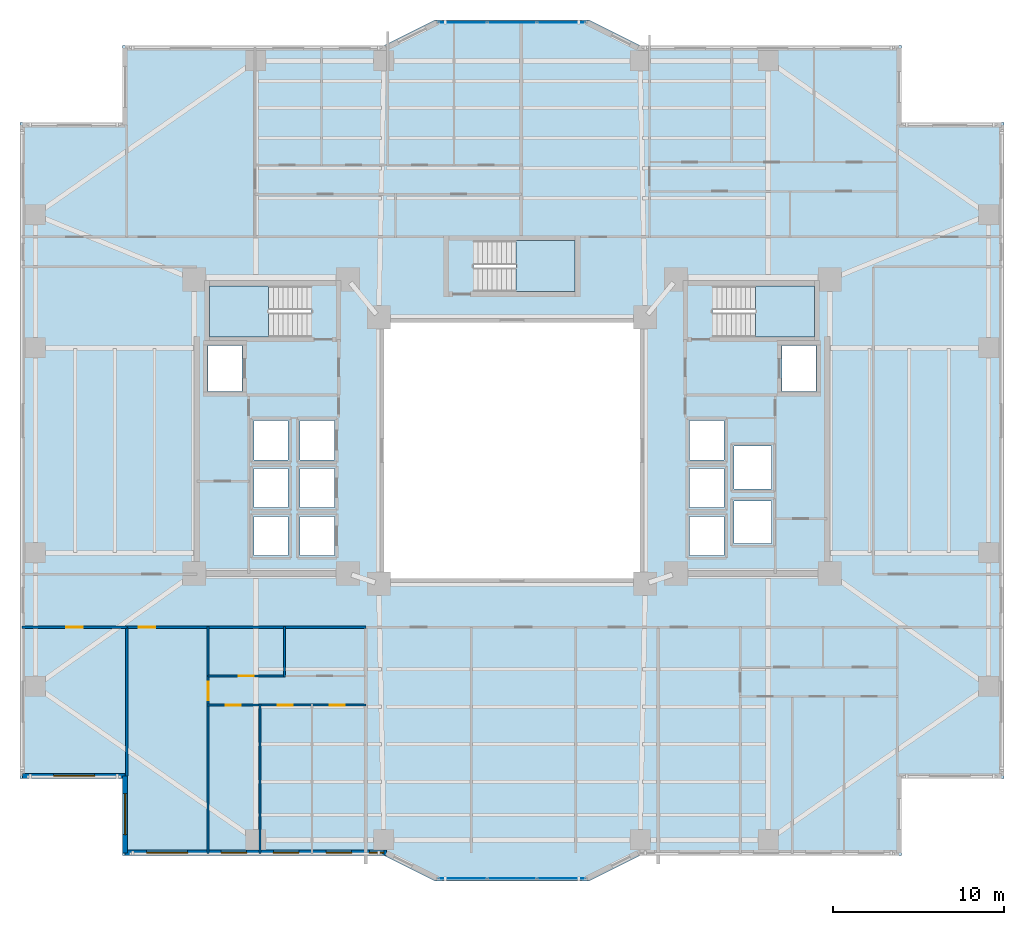
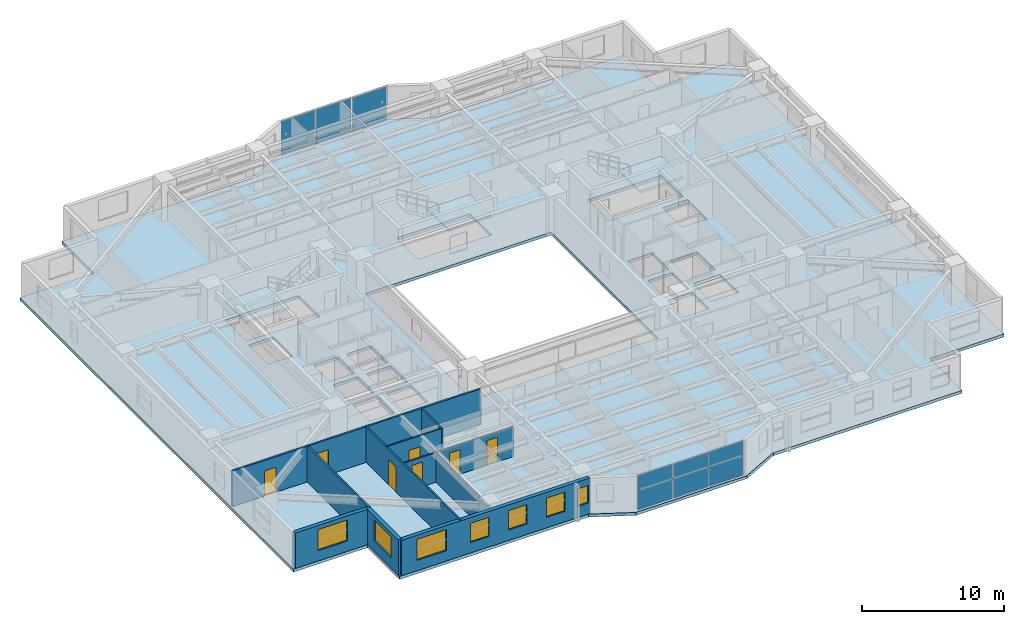
# One storey, part 9 of 20: 11 walls, 7 doors, 7 windows, 6 plates, 4 slabs, 14 openings, 5 elements without a shape of their own.
"""IFC4 building model written with IfcOpenShell, lengths in metres."""

from ifc_helpers import new_model, si_unit, direction, frame, frame_2d, origin, origin_2d, place, context, subcontext, project, spatial, polyline, rectangle, outline, extrude, material, layer, layer_set, type_object, element, fill, aggregate, save


model = new_model("IFC4")

# Units and contexts
model_context = context("Model", 3, precision=1e-05, world=origin(), true_north=direction((0.0, 1.0)))
body_context = subcontext(model_context, "Body", "Model", "MODEL_VIEW")
ifc_project = project(units=[si_unit("LENGTHUNIT", "METRE"), si_unit("AREAUNIT", "SQUARE_METRE"), si_unit("VOLUMEUNIT", "CUBIC_METRE"), si_unit("PLANEANGLEUNIT", "RADIAN"), si_unit("MASSUNIT", "GRAM", prefix="KILO")], contexts=[model_context])

# Site, building, storey
site_placement = place(None, origin())
site = spatial("IfcSite", under=ifc_project, at=site_placement, CompositionType="ELEMENT")
building_placement = place(site_placement, origin())
building = spatial("IfcBuilding", under=site, at=building_placement, Name="Tarnavaz Court Tower", CompositionType="ELEMENT")
storey_placement = place(building_placement, frame((0.0, 0.0, 60.85009765625)))
storey = spatial("IfcBuildingStorey", under=building, at=storey_placement, Name="L16", CompositionType="ELEMENT", Elevation=60.85009765625)

# Curtain wall, plates
ifc_material_1 = material(Name="Anodised Aluminium 6063-T6 and Solar Low-E Glazing", Category="aluminium")
ifc_layer_1 = layer(ifc_material_1, 0.179931640625)
ifc_layer_set_1 = layer_set([ifc_layer_1], Name="Anodised Aluminium 6063-T6 and Solar Low-E Glazing")
curtain_wall_type = type_object("IfcCurtainWallType", Name="CW-SYS-02", PredefinedType="NOTDEFINED", material=ifc_layer_set_1)
curtain_wall_1_placement = place(storey_placement, origin())
curtain_wall_1 = element("IfcCurtainWall", 1, at=curtain_wall_1_placement, inside=storey, type_object=curtain_wall_type, Name="L16 Iwan Prow Curtain Wall 7", PredefinedType="NOTDEFINED")
ifc_material_2 = material(Name="Double-Glazed Solar Low-E Glass", Category="glass")
ifc_layer_2 = layer(ifc_material_2, 0.028076171875)
ifc_layer_set_2 = layer_set([ifc_layer_2], Name="Double-Glazed Solar Low-E Glass")
plate_type = type_object("IfcPlateType", Name="CW-PAN-GLZ28", PredefinedType="CURTAIN_PANEL", material=ifc_layer_set_2)
plate_1_placement = place(storey_placement, frame((-2.88134765625, 25.050048828125, 0.06494140625), z_axis=(0.0, 0.0, 1.0), x_axis=(1.0, 0.0, 0.0)))
plate_1 = element("IfcPlate", 2, at=plate_1_placement, type_object=plate_type, Name="CW panel 1.1", PredefinedType="CURTAIN_PANEL", context=body_context, shape_type="SweptSolid", body=[
    extrude(rectangle(XDim=2.78759765625, YDim=0.028076171875, at=origin_2d()), origin(), (0.0, 0.0, 1.0), 2.919921875),
])
plate_2_placement = place(storey_placement, frame((0.0, 25.050048828125, 0.06494140625), z_axis=(0.0, 0.0, 1.0), x_axis=(1.0, 0.0, 0.0)))
plate_2 = element("IfcPlate", 3, at=plate_2_placement, type_object=plate_type, Name="CW panel 2.1", PredefinedType="CURTAIN_PANEL", context=body_context, shape_type="SweptSolid", body=[
    extrude(rectangle(XDim=2.824951171875, YDim=0.028076171875, at=origin_2d()), origin(), (0.0, 0.0, 1.0), 2.919921875),
])
plate_3_placement = place(storey_placement, frame((2.88134765625, 25.050048828125, 0.06494140625), z_axis=(0.0, 0.0, 1.0), x_axis=(1.0, 0.0, 0.0)))
plate_3 = element("IfcPlate", 4, at=plate_3_placement, type_object=plate_type, Name="CW panel 3.1", PredefinedType="CURTAIN_PANEL", context=body_context, shape_type="SweptSolid", body=[
    extrude(rectangle(XDim=2.78759765625, YDim=0.028076171875, at=origin_2d()), origin(), (0.0, 0.0, 1.0), 2.919921875),
])
aggregate(curtain_wall_1, [plate_1, plate_2, plate_3])

curtain_wall_2_placement = place(storey_placement, origin())
curtain_wall_2 = element("IfcCurtainWall", 5, at=curtain_wall_2_placement, inside=storey, type_object=curtain_wall_type, Name="L16 Iwan Prow Curtain Wall 17", PredefinedType="NOTDEFINED")
plate_4_placement = place(storey_placement, frame((2.88134765625, -25.050048828125, 0.06494140625), z_axis=(0.0, 0.0, 1.0), x_axis=(-1.0, 0.0, 0.0)))
plate_4 = element("IfcPlate", 6, at=plate_4_placement, type_object=plate_type, Name="CW panel 1.1", PredefinedType="CURTAIN_PANEL", context=body_context, shape_type="SweptSolid", body=[
    extrude(rectangle(XDim=2.78759765625, YDim=0.028076171875, at=origin_2d()), origin(), (0.0, 0.0, 1.0), 2.919921875),
])
plate_5_placement = place(storey_placement, frame((0.0, -25.050048828125, 0.06494140625), z_axis=(0.0, 0.0, 1.0), x_axis=(-1.0, 0.0, 0.0)))
plate_5 = element("IfcPlate", 7, at=plate_5_placement, type_object=plate_type, Name="CW panel 2.1", PredefinedType="CURTAIN_PANEL", context=body_context, shape_type="SweptSolid", body=[
    extrude(rectangle(XDim=2.824951171875, YDim=0.028076171875, at=origin_2d()), origin(), (0.0, 0.0, 1.0), 2.919921875),
])
plate_6_placement = place(storey_placement, frame((-2.88134765625, -25.050048828125, 0.06494140625), z_axis=(0.0, 0.0, 1.0), x_axis=(-1.0, 0.0, 0.0)))
plate_6 = element("IfcPlate", 8, at=plate_6_placement, type_object=plate_type, Name="CW panel 3.1", PredefinedType="CURTAIN_PANEL", context=body_context, shape_type="SweptSolid", body=[
    extrude(rectangle(XDim=2.78759765625, YDim=0.028076171875, at=origin_2d()), origin(), (0.0, 0.0, 1.0), 2.919921875),
])
aggregate(curtain_wall_2, [plate_4, plate_5, plate_6])

# Stair, slab
ifc_material_3 = material(Name="Concrete C40/50", Category="concrete")
stair_type = type_object("IfcStairType", Name="ST-TWR-20R", PredefinedType="HALF_TURN_STAIR", material=ifc_material_3)
stair_1_placement = place(storey_placement, origin())
stair_1 = element("IfcStair", 9, at=stair_1_placement, inside=storey, type_object=stair_type, Name="L16 West Core Pressurized Exit Stair ST-W1", PredefinedType="HALF_TURN_STAIR")
ifc_layer_3 = layer(ifc_material_3, 0.199951171875)
ifc_layer_set_3 = layer_set([ifc_layer_3], Name="Concrete C40/50")
slab_type_1 = type_object("IfcSlabType", Name="SL-LAND-200", PredefinedType="LANDING", material=ifc_layer_set_3)
slab_1_placement = place(storey_placement, frame((0.0, 0.0, 1.474853515625)))
slab_1 = element("IfcSlab", 10, at=slab_1_placement, type_object=slab_type_1, Name="ST-W1 landing 1", PredefinedType="LANDING", context=body_context, shape_type="SweptSolid", body=[
    extrude(outline(polyline([(-14.239990234375, 9.639892578125), (-17.699951171875, 9.639892578125), (-17.699951171875, 6.64990234375), (-14.239990234375, 6.64990234375), (-14.239990234375, 9.639892578125)])), origin(), (0.0, 0.0, 1.0), 0.199951171875),
])
aggregate(stair_1, [slab_1])

stair_2_placement = place(storey_placement, origin())
stair_2 = element("IfcStair", 11, at=stair_2_placement, inside=storey, type_object=stair_type, Name="L16 East Core Pressurized Exit Stair ST-E1", PredefinedType="HALF_TURN_STAIR")
slab_2_placement = place(storey_placement, frame((0.0, 0.0, 1.474853515625)))
slab_2 = element("IfcSlab", 12, at=slab_2_placement, type_object=slab_type_1, Name="ST-E1 landing 1", PredefinedType="LANDING", context=body_context, shape_type="SweptSolid", body=[
    extrude(outline(polyline([(14.239990234375, 6.64990234375), (17.699951171875, 6.64990234375), (17.699951171875, 9.639892578125), (14.239990234375, 9.639892578125), (14.239990234375, 6.64990234375)])), origin(), (0.0, 0.0, 1.0), 0.199951171875),
])
aggregate(stair_2, [slab_2])

stair_3_placement = place(storey_placement, origin())
stair_3 = element("IfcStair", 13, at=stair_3_placement, inside=storey, type_object=stair_type, Name="L16 North Ring Pressurized Exit Stair ST-N1", PredefinedType="HALF_TURN_STAIR")
slab_3_placement = place(storey_placement, frame((0.0, 0.0, 1.474853515625)))
slab_3 = element("IfcSlab", 14, at=slab_3_placement, type_object=slab_type_1, Name="ST-N1 landing 1", PredefinedType="LANDING", context=body_context, shape_type="SweptSolid", body=[
    extrude(outline(polyline([(0.239990234375, 9.300048828125), (3.699951171875, 9.300048828125), (3.699951171875, 12.2900390625), (0.239990234375, 12.2900390625), (0.239990234375, 9.300048828125)])), origin(), (0.0, 0.0, 1.0), 0.199951171875),
])
aggregate(stair_3, [slab_3])

# Slab
ifc_layer_4 = layer(ifc_material_3, 0.25)
ifc_layer_set_4 = layer_set([ifc_layer_4], Name="Concrete C40/50")
slab_type_2 = type_object("IfcSlabType", Name="SL-RES-250", PredefinedType="FLOOR", material=ifc_layer_set_4)
slab_4_placement = place(storey_placement, frame((0.0, 0.0, -0.25)))
element("IfcSlab", 15, at=slab_4_placement, inside=storey, type_object=slab_type_2, Name="L16 Structural Floor Slab", PredefinedType="FLOOR", context=body_context, shape_type="SweptSolid", body=[
    extrude(outline(polyline([(-22.800048828125, -23.699951171875), (-7.5, -23.699951171875), (-4.5, -25.199951171875), (4.5, -25.199951171875), (7.5, -23.699951171875), (22.800048828125, -23.699951171875), (22.800048828125, -19.199951171875), (28.800048828125, -19.199951171875), (28.800048828125, 19.199951171875), (22.800048828125, 19.199951171875), (22.800048828125, 23.699951171875), (7.5, 23.699951171875), (4.5, 25.199951171875), (-4.5, 25.199951171875), (-7.5, 23.699951171875), (-22.800048828125, 23.699951171875), (-22.800048828125, 19.199951171875), (-28.800048828125, 19.199951171875), (-28.800048828125, -19.199951171875), (-22.800048828125, -19.199951171875), (-22.800048828125, -23.699951171875)]), holes=[polyline([(-7.5, -7.5), (7.5, -7.5), (7.5, 7.5), (-7.5, 7.5), (-7.5, -7.5)]), polyline([(-11.7451171875, 9.639892578125), (-17.699951171875, 9.639892578125), (-17.699951171875, 6.64990234375), (-11.7451171875, 6.64990234375), (-11.7451171875, 9.639892578125)]), polyline([(11.7451171875, 6.64990234375), (17.699951171875, 6.64990234375), (17.699951171875, 9.639892578125), (11.7451171875, 9.639892578125), (11.7451171875, 6.64990234375)]), polyline([(-2.2548828125, 9.300048828125), (3.699951171875, 9.300048828125), (3.699951171875, 12.2900390625), (-2.2548828125, 12.2900390625), (-2.2548828125, 9.300048828125)]), polyline([(-17.800048828125, 3.449951171875), (-15.800048828125, 3.449951171875), (-15.800048828125, 6.14990234375), (-17.800048828125, 6.14990234375), (-17.800048828125, 3.449951171875)]), polyline([(-12.39990234375, -6.14990234375), (-10.39990234375, -6.14990234375), (-10.39990234375, -3.85009765625), (-12.39990234375, -3.85009765625), (-12.39990234375, -6.14990234375)]), polyline([(-12.39990234375, -3.35009765625), (-10.39990234375, -3.35009765625), (-10.39990234375, -1.050048828125), (-12.39990234375, -1.050048828125), (-12.39990234375, -3.35009765625)]), polyline([(-12.39990234375, -0.550048828125), (-10.39990234375, -0.550048828125), (-10.39990234375, 1.75), (-12.39990234375, 1.75), (-12.39990234375, -0.550048828125)]), polyline([(-15.10009765625, -6.14990234375), (-13.10009765625, -6.14990234375), (-13.10009765625, -3.85009765625), (-15.10009765625, -3.85009765625), (-15.10009765625, -6.14990234375)]), polyline([(-15.10009765625, -3.35009765625), (-13.10009765625, -3.35009765625), (-13.10009765625, -1.050048828125), (-15.10009765625, -1.050048828125), (-15.10009765625, -3.35009765625)]), polyline([(-15.10009765625, -0.550048828125), (-13.10009765625, -0.550048828125), (-13.10009765625, 1.75), (-15.10009765625, 1.75), (-15.10009765625, -0.550048828125)]), polyline([(15.800048828125, 3.449951171875), (17.800048828125, 3.449951171875), (17.800048828125, 6.14990234375), (15.800048828125, 6.14990234375), (15.800048828125, 3.449951171875)]), polyline([(10.39990234375, -6.14990234375), (12.39990234375, -6.14990234375), (12.39990234375, -3.85009765625), (10.39990234375, -3.85009765625), (10.39990234375, -6.14990234375)]), polyline([(10.39990234375, -3.35009765625), (12.39990234375, -3.35009765625), (12.39990234375, -1.050048828125), (10.39990234375, -1.050048828125), (10.39990234375, -3.35009765625)]), polyline([(10.39990234375, -0.550048828125), (12.39990234375, -0.550048828125), (12.39990234375, 1.75), (10.39990234375, 1.75), (10.39990234375, -0.550048828125)]), polyline([(13.0, -5.449951171875), (15.199951171875, -5.449951171875), (15.199951171875, -2.949951171875), (13.0, -2.949951171875), (13.0, -5.449951171875)]), polyline([(13.0, -2.25), (15.199951171875, -2.25), (15.199951171875, 0.25), (13.0, 0.25), (13.0, -2.25)])]), origin(), (0.0, 0.0, 1.0), 0.25),
])

# Wall, opening, window
ifc_material_4 = material(Name="Precast Concrete C40/50", Category="concrete")
ifc_layer_5 = layer(ifc_material_4, 0.300048828125)
ifc_layer_set_5 = layer_set([ifc_layer_5], Name="Precast Concrete C40/50")
wall_type_1 = type_object("IfcWallType", Name="WL-EXT-300", PredefinedType="SOLIDWALL", material=ifc_layer_set_5)
wall_1_placement = place(storey_placement, frame((-22.64990234375, -19.050048828125, 0.0), z_axis=(0.0, 0.0, 1.0), x_axis=(-1.0, 0.0, 0.0)))
wall_1 = element("IfcWall", 16, at=wall_1_placement, inside=storey, type_object=wall_type_1, Name="L16 Exterior Terracotta Facade Wall 01", PredefinedType="SOLIDWALL", context=body_context, shape_type="SweptSolid", body=[
    extrude(rectangle(XDim=6.0, YDim=0.300048828125, at=frame_2d((3.0, 0.0))), origin(), (0.0, 0.0, 1.0), 3.0498046875),
])
opening_1_placement = place(wall_1_placement, frame((1.77490234375, 0.0, 0.89990234375)))
opening_1 = element("IfcOpeningElement", 17, at=opening_1_placement, cuts=wall_1, Name="Opening W06", PredefinedType="OPENING", context=body_context, shape_type="SweptSolid", body=[
    extrude(rectangle(XDim=2.39990234375, YDim=1.800048828125, at=frame_2d((1.199951171875, 0.89990234375))), frame((0.0, 0.159912109375, 0.0), z_axis=(0.0, -1.0, 0.0), x_axis=(1.0, 0.0, 0.0)), (0.0, 0.0, 1.0), 0.320068359375),
])
window_type_1 = type_object("IfcWindowType", Name="WN-APT-2400", PartitioningType="TRIPLE_PANEL_VERTICAL", PredefinedType="WINDOW", material=ifc_material_2)
window_1_placement = place(opening_1_placement, origin())
window_1 = element("IfcWindow", 18, at=window_1_placement, inside=storey, type_object=window_type_1, Name="L16 South-West Corner Reading Room Window", OverallHeight=1.800048828125, OverallWidth=2.39990234375, PartitioningType="SINGLE_PANEL", PredefinedType="WINDOW", context=body_context, shape_type="SweptSolid", body=[
    extrude(rectangle(XDim=2.39990234375, YDim=1.800048828125, at=frame_2d((1.199951171875, 0.89990234375))), frame((0.0, 0.030029296875, 0.0), z_axis=(0.0, -1.0, 0.0), x_axis=(1.0, 0.0, 0.0)), (0.0, 0.0, 1.0), 0.06005859375),
])
fill(opening_1, window_1)

# Wall, openings, windows
wall_2_placement = place(storey_placement, frame((-7.35009765625, -23.550048828125, 0.0), z_axis=(0.0, 0.0, 1.0), x_axis=(-1.0, 0.0, 0.0)))
wall_2 = element("IfcWall", 19, at=wall_2_placement, inside=storey, type_object=wall_type_1, Name="L16 Exterior Terracotta Facade Wall 19", PredefinedType="SOLIDWALL", context=body_context, shape_type="SweptSolid", body=[
    extrude(rectangle(XDim=15.2998046875, YDim=0.300048828125, at=frame_2d((7.64990234375, 0.0))), origin(), (0.0, 0.0, 1.0), 3.0498046875),
])
opening_2_placement = place(wall_2_placement, frame((0.146728515625, 0.0, 0.949951171875)))
opening_2 = element("IfcOpeningElement", 20, at=opening_2_placement, cuts=wall_2, Name="Opening W15", PredefinedType="OPENING", context=body_context, shape_type="SweptSolid", body=[
    extrude(rectangle(XDim=0.85009765625, YDim=1.5, at=frame_2d((0.425048828125, 0.75))), frame((0.0, 0.159912109375, 0.0), z_axis=(0.0, -1.0, 0.0), x_axis=(1.0, 0.0, 0.0)), (0.0, 0.0, 1.0), 0.320068359375),
])
opening_3_placement = place(wall_2_placement, frame((2.0341796875, 0.0, 0.89990234375)))
opening_3 = element("IfcOpeningElement", 21, at=opening_3_placement, cuts=wall_2, Name="Opening W03", PredefinedType="OPENING", context=body_context, shape_type="SweptSolid", body=[
    extrude(rectangle(XDim=1.5, YDim=1.64990234375, at=frame_2d((0.75, 0.824951171875))), frame((0.0, 0.159912109375, 0.0), z_axis=(0.0, -1.0, 0.0), x_axis=(1.0, 0.0, 0.0)), (0.0, 0.0, 1.0), 0.320068359375),
])
opening_4_placement = place(wall_2_placement, frame((5.119140625, 0.0, 0.89990234375)))
opening_4 = element("IfcOpeningElement", 22, at=opening_4_placement, cuts=wall_2, Name="Opening W03", PredefinedType="OPENING", context=body_context, shape_type="SweptSolid", body=[
    extrude(rectangle(XDim=1.5, YDim=1.64990234375, at=frame_2d((0.75, 0.824951171875))), frame((0.0, 0.159912109375, 0.0), z_axis=(0.0, -1.0, 0.0), x_axis=(1.0, 0.0, 0.0)), (0.0, 0.0, 1.0), 0.320068359375),
])
opening_5_placement = place(wall_2_placement, frame((8.17919921875, 0.0, 0.89990234375)))
opening_5 = element("IfcOpeningElement", 23, at=opening_5_placement, cuts=wall_2, Name="Opening W03", PredefinedType="OPENING", context=body_context, shape_type="SweptSolid", body=[
    extrude(rectangle(XDim=1.5, YDim=1.64990234375, at=frame_2d((0.75, 0.824951171875))), frame((0.0, 0.159912109375, 0.0), z_axis=(0.0, -1.0, 0.0), x_axis=(1.0, 0.0, 0.0)), (0.0, 0.0, 1.0), 0.320068359375),
])
opening_6_placement = place(wall_2_placement, frame((11.64208984375, 0.0, 0.89990234375)))
opening_6 = element("IfcOpeningElement", 24, at=opening_6_placement, cuts=wall_2, Name="Opening W06", PredefinedType="OPENING", context=body_context, shape_type="SweptSolid", body=[
    extrude(rectangle(XDim=2.39990234375, YDim=1.800048828125, at=frame_2d((1.199951171875, 0.89990234375))), frame((0.0, 0.159912109375, 0.0), z_axis=(0.0, -1.0, 0.0), x_axis=(1.0, 0.0, 0.0)), (0.0, 0.0, 1.0), 0.320068359375),
])
window_type_2 = type_object("IfcWindowType", Name="WN-APT-1500", PartitioningType="DOUBLE_PANEL_VERTICAL", PredefinedType="WINDOW", material=ifc_material_2)
window_2_placement = place(opening_3_placement, origin())
window_2 = element("IfcWindow", 25, at=window_2_placement, inside=storey, type_object=window_type_2, Name="L16 Flat 03 Bedroom 3 Window", OverallHeight=1.64990234375, OverallWidth=1.5, PartitioningType="SINGLE_PANEL", PredefinedType="WINDOW", context=body_context, shape_type="SweptSolid", body=[
    extrude(rectangle(XDim=1.5, YDim=1.64990234375, at=frame_2d((0.75, 0.824951171875))), frame((0.0, 0.030029296875, 0.0), z_axis=(0.0, -1.0, 0.0), x_axis=(1.0, 0.0, 0.0)), (0.0, 0.0, 1.0), 0.06005859375),
])
fill(opening_3, window_2)
window_3_placement = place(opening_4_placement, origin())
window_3 = element("IfcWindow", 26, at=window_3_placement, inside=storey, type_object=window_type_2, Name="L16 Flat 03 Bedroom 2 Window", OverallHeight=1.64990234375, OverallWidth=1.5, PartitioningType="SINGLE_PANEL", PredefinedType="WINDOW", context=body_context, shape_type="SweptSolid", body=[
    extrude(rectangle(XDim=1.5, YDim=1.64990234375, at=frame_2d((0.75, 0.824951171875))), frame((0.0, 0.030029296875, 0.0), z_axis=(0.0, -1.0, 0.0), x_axis=(1.0, 0.0, 0.0)), (0.0, 0.0, 1.0), 0.06005859375),
])
fill(opening_4, window_3)
window_4_placement = place(opening_5_placement, origin())
window_4 = element("IfcWindow", 27, at=window_4_placement, inside=storey, type_object=window_type_2, Name="L16 Flat 03 Principal Bedroom Window", OverallHeight=1.64990234375, OverallWidth=1.5, PartitioningType="SINGLE_PANEL", PredefinedType="WINDOW", context=body_context, shape_type="SweptSolid", body=[
    extrude(rectangle(XDim=1.5, YDim=1.64990234375, at=frame_2d((0.75, 0.824951171875))), frame((0.0, 0.030029296875, 0.0), z_axis=(0.0, -1.0, 0.0), x_axis=(1.0, 0.0, 0.0)), (0.0, 0.0, 1.0), 0.06005859375),
])
fill(opening_5, window_4)
window_5_placement = place(opening_6_placement, origin())
window_5 = element("IfcWindow", 28, at=window_5_placement, inside=storey, type_object=window_type_1, Name="L16 Flat 03 Living and Dining Room Window", OverallHeight=1.800048828125, OverallWidth=2.39990234375, PartitioningType="SINGLE_PANEL", PredefinedType="WINDOW", context=body_context, shape_type="SweptSolid", body=[
    extrude(rectangle(XDim=2.39990234375, YDim=1.800048828125, at=frame_2d((1.199951171875, 0.89990234375))), frame((0.0, 0.030029296875, 0.0), z_axis=(0.0, -1.0, 0.0), x_axis=(1.0, 0.0, 0.0)), (0.0, 0.0, 1.0), 0.06005859375),
])
fill(opening_6, window_5)
window_type_3 = type_object("IfcWindowType", Name="WN-APT-850", PartitioningType="SINGLE_PANEL", PredefinedType="WINDOW", material=ifc_material_2)
window_6_placement = place(opening_2_placement, origin())
window_6 = element("IfcWindow", 29, at=window_6_placement, inside=storey, type_object=window_type_3, Name="L16 Resident Fitness and Yoga Studio Window", OverallHeight=1.5, OverallWidth=0.85009765625, PartitioningType="SINGLE_PANEL", PredefinedType="WINDOW", context=body_context, shape_type="SweptSolid", body=[
    extrude(rectangle(XDim=0.85009765625, YDim=1.5, at=frame_2d((0.425048828125, 0.75))), frame((0.0, 0.030029296875, 0.0), z_axis=(0.0, -1.0, 0.0), x_axis=(1.0, 0.0, 0.0)), (0.0, 0.0, 1.0), 0.06005859375),
])
fill(opening_2, window_6)

# Wall, opening, window
wall_3_placement = place(storey_placement, frame((-22.64990234375, -23.550048828125, 0.0), z_axis=(0.0, 0.0, 1.0), x_axis=(0.0, 1.0, 0.0)))
wall_3 = element("IfcWall", 30, at=wall_3_placement, inside=storey, type_object=wall_type_1, Name="L16 Exterior Terracotta Facade Wall 20", PredefinedType="SOLIDWALL", context=body_context, shape_type="SweptSolid", body=[
    extrude(rectangle(XDim=4.5, YDim=0.300048828125, at=frame_2d((2.25, 0.0))), origin(), (0.0, 0.0, 1.0), 3.0498046875),
])
opening_7_placement = place(wall_3_placement, frame((1.0673828125, 0.0, 0.89990234375)))
opening_7 = element("IfcOpeningElement", 31, at=opening_7_placement, cuts=wall_3, Name="Opening W06", PredefinedType="OPENING", context=body_context, shape_type="SweptSolid", body=[
    extrude(rectangle(XDim=2.39990234375, YDim=1.800048828125, at=frame_2d((1.199951171875, 0.89990234375))), frame((0.0, 0.159912109375, 0.0), z_axis=(0.0, -1.0, 0.0), x_axis=(1.0, 0.0, 0.0)), (0.0, 0.0, 1.0), 0.320068359375),
])
window_7_placement = place(opening_7_placement, origin())
window_7 = element("IfcWindow", 32, at=window_7_placement, inside=storey, type_object=window_type_1, Name="L16 Flat 03 Living and Dining Room Window", OverallHeight=1.800048828125, OverallWidth=2.39990234375, PartitioningType="SINGLE_PANEL", PredefinedType="WINDOW", context=body_context, shape_type="SweptSolid", body=[
    extrude(rectangle(XDim=2.39990234375, YDim=1.800048828125, at=frame_2d((1.199951171875, 0.89990234375))), frame((0.0, 0.030029296875, 0.0), z_axis=(0.0, -1.0, 0.0), x_axis=(1.0, 0.0, 0.0)), (0.0, 0.0, 1.0), 0.06005859375),
])
fill(opening_7, window_7)

# Wall, opening, door
ifc_material_5 = material(Name="Gypsum Fire-Board on Acoustic Metal Stud", Category="masonry")
ifc_layer_6 = layer(ifc_material_5, 0.14990234375)
ifc_layer_set_6 = layer_set([ifc_layer_6], Name="Gypsum Fire-Board on Acoustic Metal Stud")
wall_type_2 = type_object("IfcWallType", Name="WL-FIRE-150", PredefinedType="PARTITIONING", material=ifc_layer_set_6)
wall_4_placement = place(storey_placement, frame((-22.550048828125, -10.35009765625, 0.0), z_axis=(0.0, 0.0, 1.0), x_axis=(1.0, 0.0, 0.0)))
wall_4 = element("IfcWall", 33, at=wall_4_placement, inside=storey, type_object=wall_type_2, Name="L16 SW Corridor Wall 084", PredefinedType="PARTITIONING", context=body_context, shape_type="SweptSolid", body=[
    extrude(rectangle(XDim=14.0, YDim=0.14990234375, at=frame_2d((7.0, 0.0))), origin(), (0.0, 0.0, 1.0), 3.0498046875),
])
opening_8_placement = place(wall_4_placement, frame((0.699951171875, 0.0, 0.0)))
opening_8 = element("IfcOpeningElement", 34, at=opening_8_placement, cuts=wall_4, Name="Opening D06", PredefinedType="OPENING", context=body_context, shape_type="SweptSolid", body=[
    extrude(rectangle(XDim=0.9599609375, YDim=2.14990234375, at=frame_2d((0.47998046875, 1.074951171875))), frame((0.0, 0.0849609375, 0.0), z_axis=(0.0, -1.0, 0.0), x_axis=(1.0, 0.0, 0.0)), (0.0, 0.0, 1.0), 0.169921875),
])
ifc_material_6 = material(Name="Fire-Rated Hardwood Timber Core", Category="wood")
door_type_1 = type_object("IfcDoorType", Name="DR-FD60-950", OperationType="NOTDEFINED", PredefinedType="DOOR", material=ifc_material_6)
door_1_placement = place(opening_8_placement, origin())
door_1 = element("IfcDoor", 35, at=door_1_placement, inside=storey, type_object=door_type_1, Name="L16 Flat 03 Entrance Door", OperationType="SINGLE_SWING_RIGHT", OverallHeight=2.14990234375, OverallWidth=0.9599609375, PredefinedType="DOOR", context=body_context, shape_type="SweptSolid", body=[
    extrude(rectangle(XDim=0.9599609375, YDim=2.14990234375, at=frame_2d((0.47998046875, 1.074951171875))), frame((0.0, 0.02490234375, 0.0), z_axis=(0.0, -1.0, 0.0), x_axis=(1.0, 0.0, 0.0)), (0.0, 0.0, 1.0), 0.050048828125),
])
fill(opening_8, door_1)

wall_5_placement = place(storey_placement, frame((-28.679931640625, -10.35009765625, 0.0), z_axis=(0.0, 0.0, 1.0), x_axis=(1.0, 0.0, 0.0)))
wall_5 = element("IfcWall", 36, at=wall_5_placement, inside=storey, type_object=wall_type_2, Name="L16 Interior Partition 131", PredefinedType="PARTITIONING", context=body_context, shape_type="SweptSolid", body=[
    extrude(rectangle(XDim=6.1298828125, YDim=0.14990234375, at=frame_2d((3.06494140625, 0.0))), origin(), (0.0, 0.0, 1.0), 3.0498046875),
])
opening_9_placement = place(wall_5_placement, frame((2.590087890625, 0.0, 0.0)))
opening_9 = element("IfcOpeningElement", 37, at=opening_9_placement, cuts=wall_5, Name="Opening D13", PredefinedType="OPENING", context=body_context, shape_type="SweptSolid", body=[
    extrude(rectangle(XDim=0.949951171875, YDim=2.14990234375, at=frame_2d((0.47509765625, 1.074951171875))), frame((0.0, 0.0849609375, 0.0), z_axis=(0.0, -1.0, 0.0), x_axis=(1.0, 0.0, 0.0)), (0.0, 0.0, 1.0), 0.169921875),
])
ifc_material_7 = material(Name="Engineered Oak Timber", Category="wood")
door_type_2 = type_object("IfcDoorType", Name="DR-INT-950", OperationType="NOTDEFINED", PredefinedType="DOOR", material=ifc_material_7)
door_2_placement = place(opening_9_placement, origin())
door_2 = element("IfcDoor", 38, at=door_2_placement, inside=storey, type_object=door_type_2, Name="L16 SW Reading Room Door", OperationType="SINGLE_SWING_LEFT", OverallHeight=2.14990234375, OverallWidth=0.949951171875, PredefinedType="DOOR", context=body_context, shape_type="SweptSolid", body=[
    extrude(rectangle(XDim=0.949951171875, YDim=2.14990234375, at=frame_2d((0.47509765625, 1.074951171875))), frame((0.0, 0.02490234375, 0.0), z_axis=(0.0, -1.0, 0.0), x_axis=(1.0, 0.0, 0.0)), (0.0, 0.0, 1.0), 0.050048828125),
])
fill(opening_9, door_2)

ifc_material_8 = material(Name="Moisture-Resistant Gypsum Board Partition", Category="masonry")
ifc_layer_7 = layer(ifc_material_8, 0.1201171875)
ifc_layer_set_7 = layer_set([ifc_layer_7], Name="Moisture-Resistant Gypsum Board Partition")
wall_type_3 = type_object("IfcWallType", Name="WL-PART-120", PredefinedType="PARTITIONING", material=ifc_layer_set_7)
wall_6_placement = place(storey_placement, frame((-17.7880859375, -23.60009765625, 0.0), z_axis=(0.0, 0.0, 1.0), x_axis=(0.0, 1.0, 0.0)))
wall_6 = element("IfcWall", 39, at=wall_6_placement, inside=storey, type_object=wall_type_3, Name="L16 Interior Partition 103", PredefinedType="PARTITIONING", context=body_context, shape_type="SweptSolid", body=[
    extrude(rectangle(XDim=13.31005859375, YDim=0.1201171875, at=frame_2d((6.655029296875, 0.0))), origin(), (0.0, 0.0, 1.0), 3.0498046875),
])
opening_10_placement = place(wall_6_placement, frame((8.97509765625, 0.0, 0.0)))
opening_10 = element("IfcOpeningElement", 40, at=opening_10_placement, cuts=wall_6, Name="Opening D12", PredefinedType="OPENING", context=body_context, shape_type="SweptSolid", body=[
    extrude(rectangle(XDim=1.080078125, YDim=2.14990234375, at=frame_2d((0.5400390625, 1.074951171875))), frame((0.0, 0.070068359375, 0.0), z_axis=(0.0, -1.0, 0.0), x_axis=(1.0, 0.0, 0.0)), (0.0, 0.0, 1.0), 0.14013671875),
])
door_type_3 = type_object("IfcDoorType", Name="DR-INT-1100", OperationType="NOTDEFINED", PredefinedType="DOOR", material=ifc_material_7)
door_3_placement = place(opening_10_placement, origin())
door_3 = element("IfcDoor", 41, at=door_3_placement, inside=storey, type_object=door_type_3, Name="L16 Flat 03 Foyer Door", OperationType="SINGLE_SWING_LEFT", OverallHeight=2.14990234375, OverallWidth=1.080078125, PredefinedType="DOOR", context=body_context, shape_type="SweptSolid", body=[
    extrude(rectangle(XDim=1.080078125, YDim=2.14990234375, at=frame_2d((0.5400390625, 1.074951171875))), frame((0.0, 0.02490234375, 0.0), z_axis=(0.0, -1.0, 0.0), x_axis=(1.0, 0.0, 0.0)), (0.0, 0.0, 1.0), 0.050048828125),
])
fill(opening_10, door_3)

wall_7_placement = place(storey_placement, frame((-17.7880859375, -13.199951171875, 0.0), z_axis=(0.0, 0.0, 1.0), x_axis=(1.0, 0.0, 0.0)))
wall_7 = element("IfcWall", 42, at=wall_7_placement, inside=storey, type_object=wall_type_3, Name="L16 Interior Partition 104", PredefinedType="PARTITIONING", context=body_context, shape_type="SweptSolid", body=[
    extrude(rectangle(XDim=4.47314453125, YDim=0.1201171875, at=frame_2d((2.236572265625, 0.0))), origin(), (0.0, 0.0, 1.0), 3.0498046875),
])
opening_11_placement = place(wall_7_placement, frame((1.797119140625, 0.0, 0.0)))
opening_11 = element("IfcOpeningElement", 43, at=opening_11_placement, cuts=wall_7, Name="Opening D14", PredefinedType="OPENING", context=body_context, shape_type="SweptSolid", body=[
    extrude(rectangle(XDim=0.8798828125, YDim=2.10009765625, at=frame_2d((0.43994140625, 1.050048828125))), frame((0.0, 0.070068359375, 0.0), z_axis=(0.0, -1.0, 0.0), x_axis=(1.0, 0.0, 0.0)), (0.0, 0.0, 1.0), 0.14013671875),
])
door_type_4 = type_object("IfcDoorType", Name="DR-INT-900", OperationType="NOTDEFINED", PredefinedType="DOOR", material=ifc_material_7)
door_4_placement = place(opening_11_placement, origin())
door_4 = element("IfcDoor", 44, at=door_4_placement, inside=storey, type_object=door_type_4, Name="L16 Flat 03 Kitchen Door", OperationType="SINGLE_SWING_RIGHT", OverallHeight=2.10009765625, OverallWidth=0.8798828125, PredefinedType="DOOR", context=body_context, shape_type="SweptSolid", body=[
    extrude(rectangle(XDim=0.8798828125, YDim=2.10009765625, at=frame_2d((0.43994140625, 1.050048828125))), frame((0.0, 0.02490234375, 0.0), z_axis=(0.0, -1.0, 0.0), x_axis=(1.0, 0.0, 0.0)), (0.0, 0.0, 1.0), 0.050048828125),
])
fill(opening_11, door_4)

# Wall, openings, doors
wall_8_placement = place(storey_placement, frame((-17.847900390625, -14.909912109375, 0.0), z_axis=(0.0, 0.0, 1.0), x_axis=(1.0, 0.0, 0.0)))
wall_8 = element("IfcWall", 45, at=wall_8_placement, inside=storey, type_object=wall_type_3, Name="L16 Interior Partition 106", PredefinedType="PARTITIONING", context=body_context, shape_type="SweptSolid", body=[
    extrude(rectangle(XDim=9.307861328125, YDim=0.1201171875, at=frame_2d((4.65380859375, 0.0))), origin(), (0.0, 0.0, 1.0), 2.534912109375),
])
opening_12_placement = place(wall_8_placement, frame((1.0810546875, 0.0, 0.0)))
opening_12 = element("IfcOpeningElement", 46, at=opening_12_placement, cuts=wall_8, Name="Opening D14", PredefinedType="OPENING", context=body_context, shape_type="SweptSolid", body=[
    extrude(rectangle(XDim=0.8798828125, YDim=2.10009765625, at=frame_2d((0.43994140625, 1.050048828125))), frame((0.0, 0.070068359375, 0.0), z_axis=(0.0, -1.0, 0.0), x_axis=(1.0, 0.0, 0.0)), (0.0, 0.0, 1.0), 0.14013671875),
])
opening_13_placement = place(wall_8_placement, frame((4.1240234375, 0.0, 0.0)))
opening_13 = element("IfcOpeningElement", 47, at=opening_13_placement, cuts=wall_8, Name="Opening D14", PredefinedType="OPENING", context=body_context, shape_type="SweptSolid", body=[
    extrude(rectangle(XDim=0.8798828125, YDim=2.10009765625, at=frame_2d((0.43994140625, 1.050048828125))), frame((0.0, 0.070068359375, 0.0), z_axis=(0.0, -1.0, 0.0), x_axis=(1.0, 0.0, 0.0)), (0.0, 0.0, 1.0), 0.14013671875),
])
opening_14_placement = place(wall_8_placement, frame((7.1669921875, 0.0, 0.0)))
opening_14 = element("IfcOpeningElement", 48, at=opening_14_placement, cuts=wall_8, Name="Opening D14", PredefinedType="OPENING", context=body_context, shape_type="SweptSolid", body=[
    extrude(rectangle(XDim=0.8798828125, YDim=2.10009765625, at=frame_2d((0.43994140625, 1.050048828125))), frame((0.0, 0.070068359375, 0.0), z_axis=(0.0, -1.0, 0.0), x_axis=(1.0, 0.0, 0.0)), (0.0, 0.0, 1.0), 0.14013671875),
])
door_5_placement = place(opening_12_placement, origin())
door_5 = element("IfcDoor", 49, at=door_5_placement, inside=storey, type_object=door_type_4, Name="L16 Flat 03 Bedroom 1 Door", OperationType="SINGLE_SWING_RIGHT", OverallHeight=2.10009765625, OverallWidth=0.8798828125, PredefinedType="DOOR", context=body_context, shape_type="SweptSolid", body=[
    extrude(rectangle(XDim=0.8798828125, YDim=2.10009765625, at=frame_2d((0.43994140625, 1.050048828125))), frame((0.0, 0.02490234375, 0.0), z_axis=(0.0, -1.0, 0.0), x_axis=(1.0, 0.0, 0.0)), (0.0, 0.0, 1.0), 0.050048828125),
])
fill(opening_12, door_5)
door_6_placement = place(opening_13_placement, origin())
door_6 = element("IfcDoor", 50, at=door_6_placement, inside=storey, type_object=door_type_4, Name="L16 Flat 03 Bedroom 2 Door", OperationType="SINGLE_SWING_LEFT", OverallHeight=2.10009765625, OverallWidth=0.8798828125, PredefinedType="DOOR", context=body_context, shape_type="SweptSolid", body=[
    extrude(rectangle(XDim=0.8798828125, YDim=2.10009765625, at=frame_2d((0.43994140625, 1.050048828125))), frame((0.0, 0.02490234375, 0.0), z_axis=(0.0, -1.0, 0.0), x_axis=(1.0, 0.0, 0.0)), (0.0, 0.0, 1.0), 0.050048828125),
])
fill(opening_13, door_6)
door_7_placement = place(opening_14_placement, origin())
door_7 = element("IfcDoor", 51, at=door_7_placement, inside=storey, type_object=door_type_4, Name="L16 Flat 03 Bedroom 3 Door", OperationType="SINGLE_SWING_RIGHT", OverallHeight=2.10009765625, OverallWidth=0.8798828125, PredefinedType="DOOR", context=body_context, shape_type="SweptSolid", body=[
    extrude(rectangle(XDim=0.8798828125, YDim=2.10009765625, at=frame_2d((0.43994140625, 1.050048828125))), frame((0.0, 0.02490234375, 0.0), z_axis=(0.0, -1.0, 0.0), x_axis=(1.0, 0.0, 0.0)), (0.0, 0.0, 1.0), 0.050048828125),
])
fill(opening_14, door_7)

# Walls
wall_9_placement = place(storey_placement, frame((-13.31494140625, -13.260009765625, 0.0), z_axis=(0.0, 0.0, 1.0), x_axis=(0.0, 1.0, 0.0)))
element("IfcWall", 52, at=wall_9_placement, inside=storey, type_object=wall_type_3, Name="L16 Interior Partition 107", PredefinedType="PARTITIONING", context=body_context, shape_type="SweptSolid", body=[
    extrude(rectangle(XDim=2.969970703125, YDim=0.1201171875, at=frame_2d((1.48486328125, 0.0))), origin(), (0.0, 0.0, 1.0), 3.0498046875),
])
wall_10_placement = place(storey_placement, frame((-14.7451171875, -23.60009765625, 0.0), z_axis=(0.0, 0.0, 1.0), x_axis=(0.0, 1.0, 0.0)))
element("IfcWall", 53, at=wall_10_placement, inside=storey, type_object=wall_type_3, Name="L16 Interior Partition 108", PredefinedType="PARTITIONING", context=body_context, shape_type="SweptSolid", body=[
    extrude(rectangle(XDim=8.75, YDim=0.1201171875, at=frame_2d((4.375, 0.0))), origin(), (0.0, 0.0, 1.0), 2.385009765625),
])
ifc_material_9 = material(Name="Gypsum Plasterboard Acoustic Partition", Category="masonry")
ifc_layer_8 = layer(ifc_material_9, 0.139892578125)
ifc_layer_set_8 = layer_set([ifc_layer_8], Name="Gypsum Plasterboard Acoustic Partition")
wall_type_4 = type_object("IfcWallType", Name="WL-PART-150", PredefinedType="PARTITIONING", material=ifc_layer_set_8)
wall_11_placement = place(storey_placement, frame((-22.550048828125, -19.050048828125, 0.0), z_axis=(0.0, 0.0, 1.0), x_axis=(0.0, 1.0, 0.0)))
element("IfcWall", 54, at=wall_11_placement, inside=storey, type_object=wall_type_4, Name="L16 Interior Partition 125", PredefinedType="PARTITIONING", context=body_context, shape_type="SweptSolid", body=[
    extrude(rectangle(XDim=8.699951171875, YDim=0.139892578125, at=frame_2d((4.35009765625, 0.0))), origin(), (0.0, 0.0, 1.0), 3.0498046875),
])

save(model, "model.ifc")
